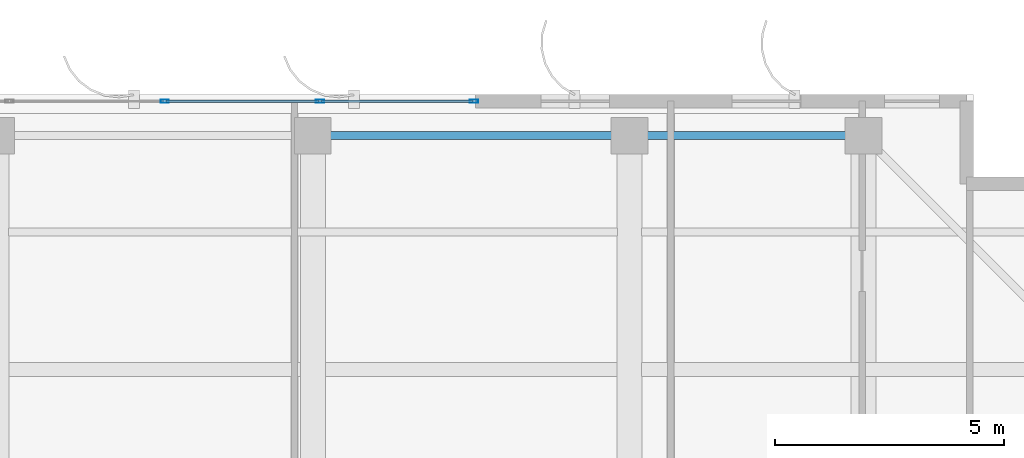
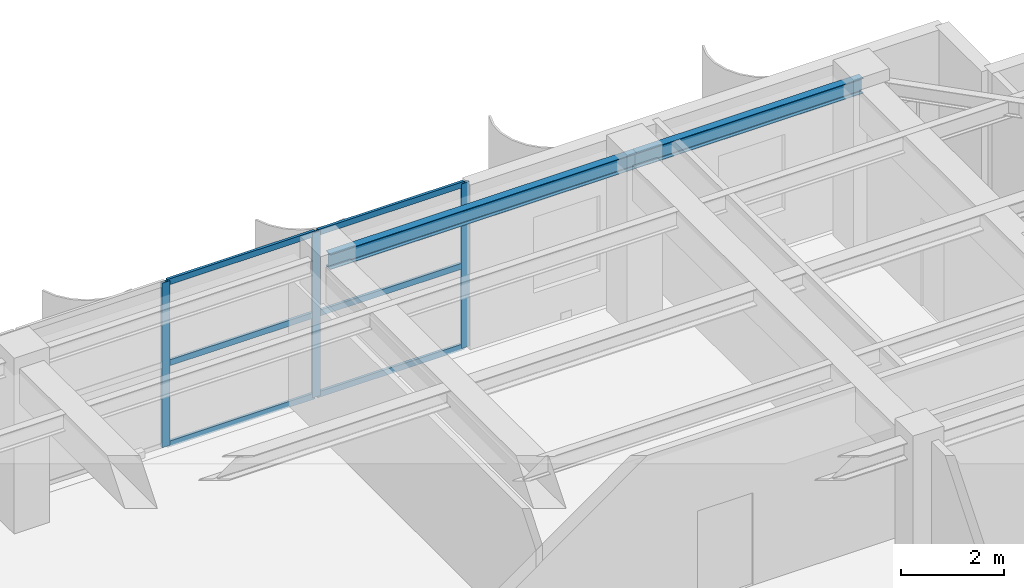
# One storey, part 11 of 19: 9 members, 2 beams, 1 element without a shape of its own.
"""IFC4 building model written with IfcOpenShell, lengths in metres."""

from ifc_helpers import new_model, si_unit, direction, frame, origin, origin_2d, place, context, subcontext, project, spatial, hollow_rectangle, i_section, extrude, source, transform, mapped, material, layer, layer_set, material_profile, profile_set, type_object, element, aggregate, save


model = new_model("IFC4")

# Units and contexts
model_context = context("Model", 3, precision=1e-05, world=origin(), true_north=direction((0.0, 1.0)))
body_context = subcontext(model_context, "Body", "Model", "MODEL_VIEW")
ifc_project = project(units=[si_unit("LENGTHUNIT", "METRE"), si_unit("AREAUNIT", "SQUARE_METRE"), si_unit("VOLUMEUNIT", "CUBIC_METRE"), si_unit("PLANEANGLEUNIT", "RADIAN"), si_unit("MASSUNIT", "GRAM", prefix="KILO")], contexts=[model_context])

# Site, building, storey
site_placement = place(None, origin())
site = spatial("IfcSite", under=ifc_project, at=site_placement, CompositionType="ELEMENT")
building_placement = place(site_placement, origin())
building = spatial("IfcBuilding", under=site, at=building_placement, Name="Khoralis Quay Care Tower", CompositionType="ELEMENT")
storey_placement = place(building_placement, frame((0.0, 0.0, 285.300048828125)))
storey = spatial("IfcBuildingStorey", under=building, at=storey_placement, Name="L75", CompositionType="ELEMENT", Elevation=285.300048828125)

# Beams
ifc_material_1 = material(Name="Steel S355", Category="steel")
ifc_material_profile_1 = material_profile(ifc_material_1, i_section(OverallWidth=0.169921875, OverallDepth=0.360107421875, WebThickness=0.008056640625, FlangeThickness=0.0126953125, FilletRadius=0.01806640625, at=origin_2d()), Name="Steel S355")
ifc_profile_set_1 = profile_set([ifc_material_profile_1], Name="Steel S355")
beam_type = type_object("IfcBeamType", Name="BM-IPE360", PredefinedType="SPANDREL", material=ifc_profile_set_1)
shared_shape_1 = source(origin(), body_context, "Body", "SweptSolid", [
    extrude(i_section(OverallWidth=0.169921875, OverallDepth=0.360107421875, WebThickness=0.008056640625, FlangeThickness=0.0126953125, FilletRadius=0.01806640625, at=origin_2d()), origin(), (0.0, 0.0, 1.0), 5.10009765625),
])
beam_1_placement = place(storey_placement, frame((30.89990234375, 41.10009765625, 3.739990234375), z_axis=(1.0, 0.0, 0.0), x_axis=(0.0, 1.0, 0.0)))
element("IfcBeam", 1, at=beam_1_placement, inside=storey, type_object=beam_type, Name="BM-TSP-L75-08", PredefinedType="SPANDREL", context=body_context, shape_type="MappedRepresentation", body=[
    mapped(shared_shape_1, transform((0.0, 0.0, 0.0), scale=1.0)),
])
shared_shape_2 = source(origin(), body_context, "Body", "SweptSolid", [
    extrude(i_section(OverallWidth=0.169921875, OverallDepth=0.360107421875, WebThickness=0.008056640625, FlangeThickness=0.0126953125, FilletRadius=0.01806640625, at=origin_2d()), origin(), (0.0, 0.0, 1.0), 6.89990234375),
])
beam_2_placement = place(storey_placement, frame((24.0, 41.10009765625, 3.739990234375), z_axis=(1.0, 0.0, 0.0), x_axis=(0.0, 1.0, 0.0)))
element("IfcBeam", 2, at=beam_2_placement, inside=storey, type_object=beam_type, Name="BM-TSP-L75-07", PredefinedType="SPANDREL", context=body_context, shape_type="MappedRepresentation", body=[
    mapped(shared_shape_2, transform((0.0, 0.0, 0.0), scale=1.0)),
])

# Curtain wall, members
ifc_material_2 = material(Name="Pale anodised aluminium", Category="aluminium")
ifc_layer = layer(ifc_material_2, 0.159912109375)
ifc_layer_set = layer_set([ifc_layer], Name="Pale anodised aluminium")
curtain_wall_type = type_object("IfcCurtainWallType", Name="CW-SYS-Z3", PredefinedType="NOTDEFINED", material=ifc_layer_set)
curtain_wall_placement = place(storey_placement, origin())
curtain_wall = element("IfcCurtainWall", 3, at=curtain_wall_placement, inside=storey, type_object=curtain_wall_type, Name="L75 Unitised Curtain Wall CW-L75-P1-E10", PredefinedType="NOTDEFINED")
ifc_material_profile_2 = material_profile(ifc_material_2, hollow_rectangle(XDim=0.06494140625, YDim=0.179931640625, WallThickness=0.00390625, at=origin_2d()), Name="Pale anodised aluminium")
ifc_profile_set_2 = profile_set([ifc_material_profile_2], Name="Pale anodised aluminium")
member_type_1 = type_object("IfcMemberType", Name="CW-MUL-180", PredefinedType="MULLION", material=ifc_profile_set_2)
shared_shape_3 = source(origin(), body_context, "Body", "SweptSolid", [
    extrude(hollow_rectangle(XDim=0.06494140625, YDim=0.179931640625, WallThickness=0.00390625, at=origin_2d()), origin(), (0.0, 0.0, 1.0), 3.919921875),
])
member_1_placement = place(storey_placement, frame((27.510009765625, 41.85009765625, 0.0), z_axis=(0.0, 0.0, 1.0), x_axis=(0.0, -1.0, 0.0)))
member_1 = element("IfcMember", 4, at=member_1_placement, type_object=member_type_1, Name="CW3 mullion 1", PredefinedType="MULLION", context=body_context, shape_type="MappedRepresentation", body=[
    mapped(shared_shape_3, transform((0.0, 0.0, 0.0), scale=1.0)),
])
member_2_placement = place(storey_placement, frame((24.155029296875, 41.85009765625, 0.0), z_axis=(0.0, 0.0, 1.0), x_axis=(0.0, -1.0, 0.0)))
member_2 = element("IfcMember", 5, at=member_2_placement, type_object=member_type_1, Name="CW3 mullion 2", PredefinedType="MULLION", context=body_context, shape_type="MappedRepresentation", body=[
    mapped(shared_shape_3, transform((0.0, 0.0, 0.0), scale=1.0)),
])
member_3_placement = place(storey_placement, frame((20.77001953125, 41.85009765625, 0.0), z_axis=(0.0, 0.0, 1.0), x_axis=(0.0, -1.0, 0.0)))
member_3 = element("IfcMember", 6, at=member_3_placement, type_object=member_type_1, Name="CW3 mullion 3", PredefinedType="MULLION", context=body_context, shape_type="MappedRepresentation", body=[
    mapped(shared_shape_3, transform((0.0, 0.0, 0.0), scale=1.0)),
])
ifc_material_profile_3 = material_profile(ifc_material_2, hollow_rectangle(XDim=0.06005859375, YDim=0.139892578125, WallThickness=0.00390625, at=origin_2d()), Name="Pale anodised aluminium")
ifc_profile_set_3 = profile_set([ifc_material_profile_3], Name="Pale anodised aluminium")
member_type_2 = type_object("IfcMemberType", Name="CW-TRN-140", PredefinedType="USERDEFINED", material=ifc_profile_set_3)
shared_shape_4 = source(origin(), body_context, "Body", "SweptSolid", [
    extrude(hollow_rectangle(XDim=0.06005859375, YDim=0.139892578125, WallThickness=0.00390625, at=origin_2d()), origin(), (0.0, 0.0, 1.0), 3.294921875),
])
member_4_placement = place(storey_placement, frame((27.47998046875, 41.85009765625, 0.030029296875), z_axis=(-1.0, 0.0, 0.0), x_axis=(0.0, -1.0, 0.0)))
member_4 = element("IfcMember", 7, at=member_4_placement, type_object=member_type_2, Name="CW3 transom 1.1", ObjectType="TRANSOM", PredefinedType="USERDEFINED", context=body_context, shape_type="MappedRepresentation", body=[
    mapped(shared_shape_4, transform((0.0, 0.0, 0.0), scale=1.0)),
])
member_5_placement = place(storey_placement, frame((27.47998046875, 41.85009765625, 1.9599609375), z_axis=(-1.0, 0.0, 0.0), x_axis=(0.0, -1.0, 0.0)))
member_5 = element("IfcMember", 8, at=member_5_placement, type_object=member_type_2, Name="CW3 transom 1.2", ObjectType="TRANSOM", PredefinedType="USERDEFINED", context=body_context, shape_type="MappedRepresentation", body=[
    mapped(shared_shape_4, transform((0.0, 0.0, 0.0), scale=1.0)),
])
member_6_placement = place(storey_placement, frame((27.47998046875, 41.85009765625, 3.889892578125), z_axis=(-1.0, 0.0, 0.0), x_axis=(0.0, -1.0, 0.0)))
member_6 = element("IfcMember", 9, at=member_6_placement, type_object=member_type_2, Name="CW3 transom 1.3", ObjectType="TRANSOM", PredefinedType="USERDEFINED", context=body_context, shape_type="MappedRepresentation", body=[
    mapped(shared_shape_4, transform((0.0, 0.0, 0.0), scale=1.0)),
])
shared_shape_5 = source(origin(), body_context, "Body", "SweptSolid", [
    extrude(hollow_rectangle(XDim=0.06005859375, YDim=0.139892578125, WallThickness=0.00390625, at=origin_2d()), origin(), (0.0, 0.0, 1.0), 3.324951171875),
])
member_7_placement = place(storey_placement, frame((24.125, 41.85009765625, 0.030029296875), z_axis=(-1.0, 0.0, 0.0), x_axis=(0.0, -1.0, 0.0)))
member_7 = element("IfcMember", 10, at=member_7_placement, type_object=member_type_2, Name="CW3 transom 2.1", ObjectType="TRANSOM", PredefinedType="USERDEFINED", context=body_context, shape_type="MappedRepresentation", body=[
    mapped(shared_shape_5, transform((0.0, 0.0, 0.0), scale=1.0)),
])
member_8_placement = place(storey_placement, frame((24.125, 41.85009765625, 1.9599609375), z_axis=(-1.0, 0.0, 0.0), x_axis=(0.0, -1.0, 0.0)))
member_8 = element("IfcMember", 11, at=member_8_placement, type_object=member_type_2, Name="CW3 transom 2.2", ObjectType="TRANSOM", PredefinedType="USERDEFINED", context=body_context, shape_type="MappedRepresentation", body=[
    mapped(shared_shape_5, transform((0.0, 0.0, 0.0), scale=1.0)),
])
member_9_placement = place(storey_placement, frame((24.125, 41.85009765625, 3.889892578125), z_axis=(-1.0, 0.0, 0.0), x_axis=(0.0, -1.0, 0.0)))
member_9 = element("IfcMember", 12, at=member_9_placement, type_object=member_type_2, Name="CW3 transom 2.3", ObjectType="TRANSOM", PredefinedType="USERDEFINED", context=body_context, shape_type="MappedRepresentation", body=[
    mapped(shared_shape_5, transform((0.0, 0.0, 0.0), scale=1.0)),
])
aggregate(curtain_wall, [member_1, member_2, member_3, member_4, member_5, member_6, member_7, member_8, member_9])

save(model, "model.ifc")
